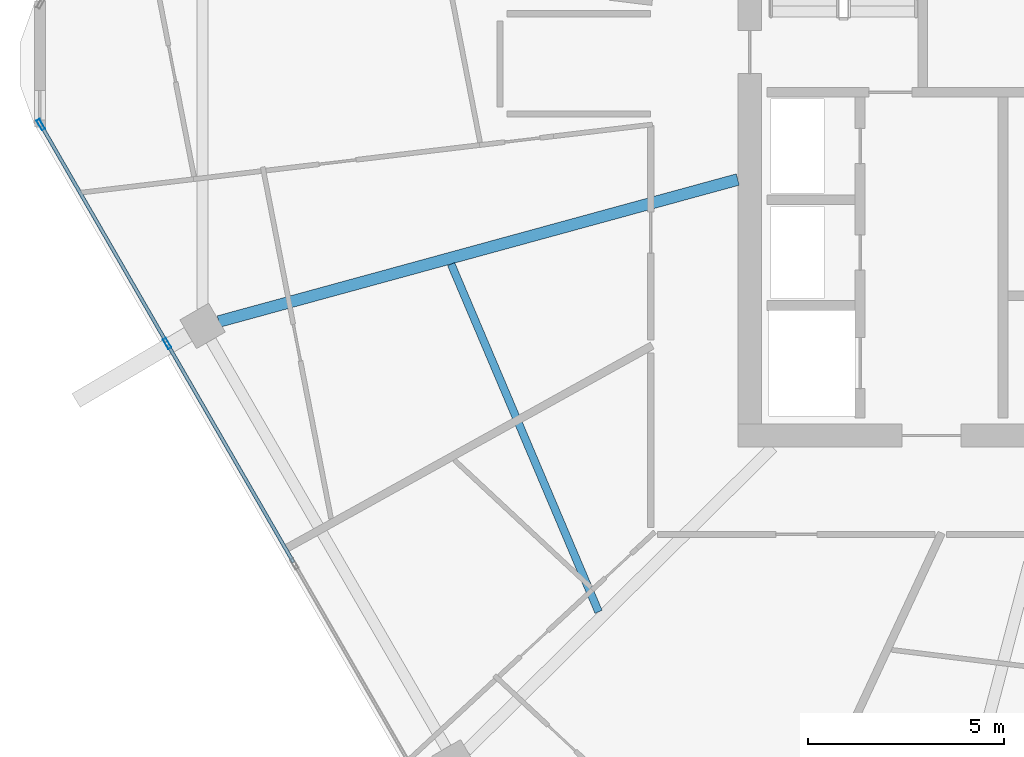
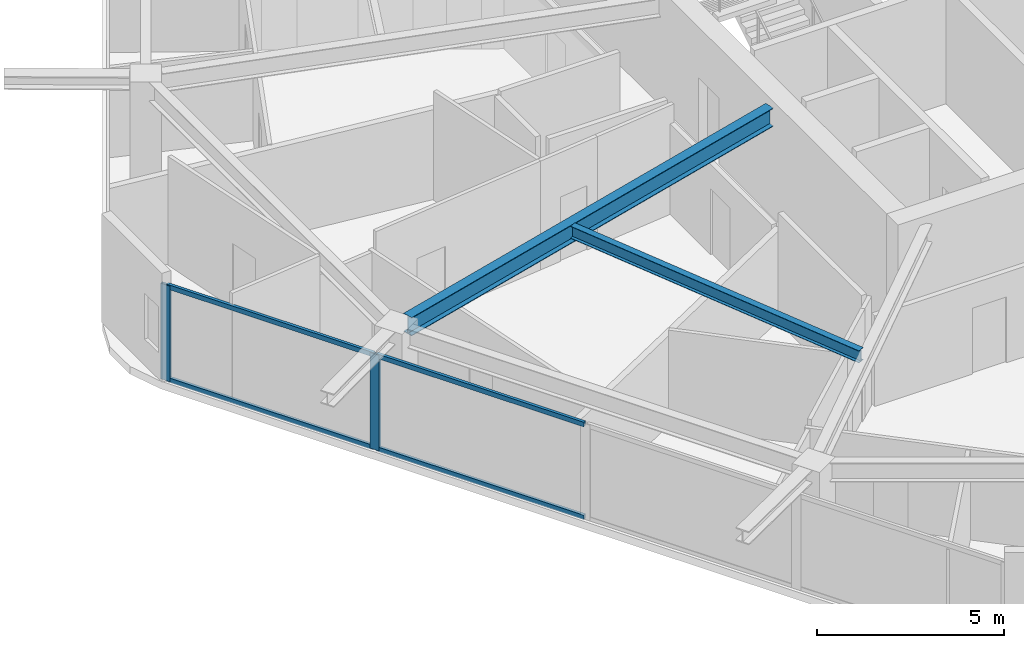
# One storey, part 5 of 27: 6 members, 2 beams, 1 element without a shape of its own.
"""IFC4 building model written with IfcOpenShell, lengths in metres."""

from ifc_helpers import new_model, si_unit, direction, frame, origin, origin_2d, place, context, subcontext, project, spatial, hollow_rectangle, i_section, extrude, material, material_profile, profile_set, type_object, element, aggregate, save


model = new_model("IFC4")

# Units and contexts
model_context = context("Model", 3, precision=1e-05, world=origin(), true_north=direction((0.0, 1.0)))
body_context = subcontext(model_context, "Body", "Model", "MODEL_VIEW")
ifc_project = project(units=[si_unit("LENGTHUNIT", "METRE"), si_unit("AREAUNIT", "SQUARE_METRE"), si_unit("VOLUMEUNIT", "CUBIC_METRE"), si_unit("PLANEANGLEUNIT", "RADIAN"), si_unit("MASSUNIT", "GRAM", prefix="KILO")], contexts=[model_context])

# Site, building, storey
site_placement = place(None, origin())
site = spatial("IfcSite", under=ifc_project, at=site_placement, CompositionType="ELEMENT")
building_placement = place(site_placement, origin())
building = spatial("IfcBuilding", under=site, at=building_placement, Name="Zuhravey Tower", CompositionType="ELEMENT")
storey_placement = place(building_placement, frame((0.0, 0.0, 265.39990234375)))
storey = spatial("IfcBuildingStorey", under=building, at=storey_placement, Name="L67", CompositionType="ELEMENT", Elevation=265.39990234375)

# Curtain wall, members
ifc_material_1 = material(Name="Thermally broken anodised aluminium", Category="aluminium")
curtain_wall_type = type_object("IfcCurtainWallType", Name="Zone 3-4 High-Rise Curtain Wall CW4", PredefinedType="NOTDEFINED", material=ifc_material_1)
curtain_wall_placement = place(storey_placement, origin())
curtain_wall = element("IfcCurtainWall", 1, at=curtain_wall_placement, inside=storey, type_object=curtain_wall_type, Name="L67 CW4 CW-L67-F4-1", PredefinedType="NOTDEFINED")
ifc_material_2 = material(Name="Anodised aluminium", Category="aluminium")
ifc_material_profile_1 = material_profile(ifc_material_2, hollow_rectangle(XDim=0.090087890625, YDim=0.284912109375, WallThickness=0.0048828125, at=origin_2d()), Name="ALU-RHS-90x285x5")
ifc_profile_set_1 = profile_set([ifc_material_profile_1], Name="Anodised aluminium")
member_type_1 = type_object("IfcMemberType", Name="Curtain-Wall Mullion 90x180", PredefinedType="MULLION", material=ifc_profile_set_1)
member_1_placement = place(storey_placement, frame((10.608154296875, 24.852783203125, 0.0), z_axis=(0.0, 0.0, 1.0), x_axis=(-0.866024851021, -0.500000957414, 0.0)))
member_1 = element("IfcMember", 2, at=member_1_placement, type_object=member_type_1, Name="CW4 mullion 4", PredefinedType="MULLION", context=body_context, shape_type="SweptSolid", body=[
    extrude(hollow_rectangle(XDim=0.090087890625, YDim=0.284912109375, WallThickness=0.0048828125, at=origin_2d()), origin(), (0.0, 0.0, 1.0), 3.1220703125),
])
member_2_placement = place(storey_placement, frame((7.37744140625, 30.448486328125, 0.0), z_axis=(0.0, 0.0, 1.0), x_axis=(-0.866024851021, -0.500000957414, 0.0)))
member_2 = element("IfcMember", 3, at=member_2_placement, type_object=member_type_1, Name="CW4 mullion 5", PredefinedType="MULLION", context=body_context, shape_type="SweptSolid", body=[
    extrude(hollow_rectangle(XDim=0.090087890625, YDim=0.284912109375, WallThickness=0.0048828125, at=origin_2d()), origin(), (0.0, 0.0, 1.0), 3.1220703125),
])
ifc_material_profile_2 = material_profile(ifc_material_2, hollow_rectangle(XDim=0.090087890625, YDim=0.14990234375, WallThickness=0.0048828125, at=origin_2d()), Name="ALU-RHS-90x150x5")
ifc_profile_set_2 = profile_set([ifc_material_profile_2], Name="Anodised aluminium")
member_type_2 = type_object("IfcMemberType", Name="Curtain-Wall Transom 90x150", PredefinedType="USERDEFINED", material=ifc_profile_set_2)
member_3_placement = place(storey_placement, frame((13.8388671875, 19.257080078125, 0.045166015625), z_axis=(-0.499998017366, 0.866026548456, 0.0), x_axis=(-0.866026548456, -0.499998017366, 0.0)))
member_3 = element("IfcMember", 4, at=member_3_placement, type_object=member_type_2, Name="CW4 transom 3.1", ObjectType="TRANSOM", PredefinedType="USERDEFINED", context=body_context, shape_type="SweptSolid", body=[
    extrude(hollow_rectangle(XDim=0.090087890625, YDim=0.14990234375, WallThickness=0.0048828125, at=origin_2d()), origin(), (0.0, 0.0, 1.0), 6.41650390625),
])
member_4_placement = place(storey_placement, frame((13.8388671875, 19.257080078125, 3.0771484375), z_axis=(-0.499998017366, 0.866026548456, 0.0), x_axis=(-0.866026548456, -0.499998017366, 0.0)))
member_4 = element("IfcMember", 5, at=member_4_placement, type_object=member_type_2, Name="CW4 transom 3.2", ObjectType="TRANSOM", PredefinedType="USERDEFINED", context=body_context, shape_type="SweptSolid", body=[
    extrude(hollow_rectangle(XDim=0.090087890625, YDim=0.14990234375, WallThickness=0.0048828125, at=origin_2d()), origin(), (0.0, 0.0, 1.0), 6.41650390625),
])
member_5_placement = place(storey_placement, frame((10.585693359375, 24.891845703125, 0.045166015625), z_axis=(-0.500008810174, 0.866020317169, 0.0), x_axis=(-0.866020317169, -0.500008810174, 0.0)))
member_5 = element("IfcMember", 6, at=member_5_placement, type_object=member_type_2, Name="CW4 transom 4.1", ObjectType="TRANSOM", PredefinedType="USERDEFINED", context=body_context, shape_type="SweptSolid", body=[
    extrude(hollow_rectangle(XDim=0.090087890625, YDim=0.14990234375, WallThickness=0.0048828125, at=origin_2d()), origin(), (0.0, 0.0, 1.0), 6.37158203125),
])
member_6_placement = place(storey_placement, frame((10.585693359375, 24.891845703125, 3.0771484375), z_axis=(-0.500008810174, 0.866020317169, 0.0), x_axis=(-0.866020317169, -0.500008810174, 0.0)))
member_6 = element("IfcMember", 7, at=member_6_placement, type_object=member_type_2, Name="CW4 transom 4.2", ObjectType="TRANSOM", PredefinedType="USERDEFINED", context=body_context, shape_type="SweptSolid", body=[
    extrude(hollow_rectangle(XDim=0.090087890625, YDim=0.14990234375, WallThickness=0.0048828125, at=origin_2d()), origin(), (0.0, 0.0, 1.0), 6.37158203125),
])
aggregate(curtain_wall, [member_1, member_2, member_3, member_4, member_5, member_6])

# Beams
ifc_material_3 = material(Name="Steel SM355", Category="steel")
ifc_material_profile_3 = material_profile(ifc_material_3, i_section(OverallWidth=0.300048828125, OverallDepth=0.60009765625, WebThickness=0.011962890625, FlangeThickness=0.02001953125, at=origin_2d()), Name="H-600x300x12x20")
ifc_profile_set_3 = profile_set([ifc_material_profile_3], Name="Steel SM355")
beam_type_1 = type_object("IfcBeamType", Name="Radial Primary Girder H600x300", PredefinedType="BEAM", material=ifc_profile_set_3)
beam_1_placement = place(storey_placement, frame((25.197021484375, 29.04443359375, 3.25), z_axis=(-0.964549305009, -0.263902705947, 0.0), x_axis=(0.263902705947, -0.964549305009, 0.0)))
element("IfcBeam", 8, at=beam_1_placement, inside=storey, type_object=beam_type_1, Name="L67 RG3 BM-L67-RAD-07", PredefinedType="BEAM", context=body_context, shape_type="SweptSolid", body=[
    extrude(i_section(OverallWidth=0.300048828125, OverallDepth=0.60009765625, WebThickness=0.011962890625, FlangeThickness=0.02001953125, at=origin_2d()), origin(), (0.0, 0.0, 1.0), 13.756591796875),
])
ifc_material_profile_4 = material_profile(ifc_material_3, i_section(OverallWidth=0.199951171875, OverallDepth=0.39990234375, WebThickness=0.008056640625, FlangeThickness=0.012939453125, at=origin_2d()), Name="H-400x200x8x13")
ifc_profile_set_4 = profile_set([ifc_material_profile_4], Name="Steel SM355")
beam_type_2 = type_object("IfcBeamType", Name="Secondary Floor Joist H400x200", PredefinedType="JOIST", material=ifc_profile_set_4)
beam_2_placement = place(storey_placement, frame((17.869140625, 26.881103515625, 3.35009765625), z_axis=(0.390413493754, -0.920639616731, 0.0), x_axis=(0.920639616731, 0.390413493754, 0.0)))
element("IfcBeam", 9, at=beam_2_placement, inside=storey, type_object=beam_type_2, Name="L67 SJ2 BM-L67-SJ-07-1", PredefinedType="JOIST", context=body_context, shape_type="SweptSolid", body=[
    extrude(i_section(OverallWidth=0.199951171875, OverallDepth=0.39990234375, WebThickness=0.008056640625, FlangeThickness=0.012939453125, at=origin_2d()), origin(), (0.0, 0.0, 1.0), 9.656494140625),
])

save(model, "model.ifc")
